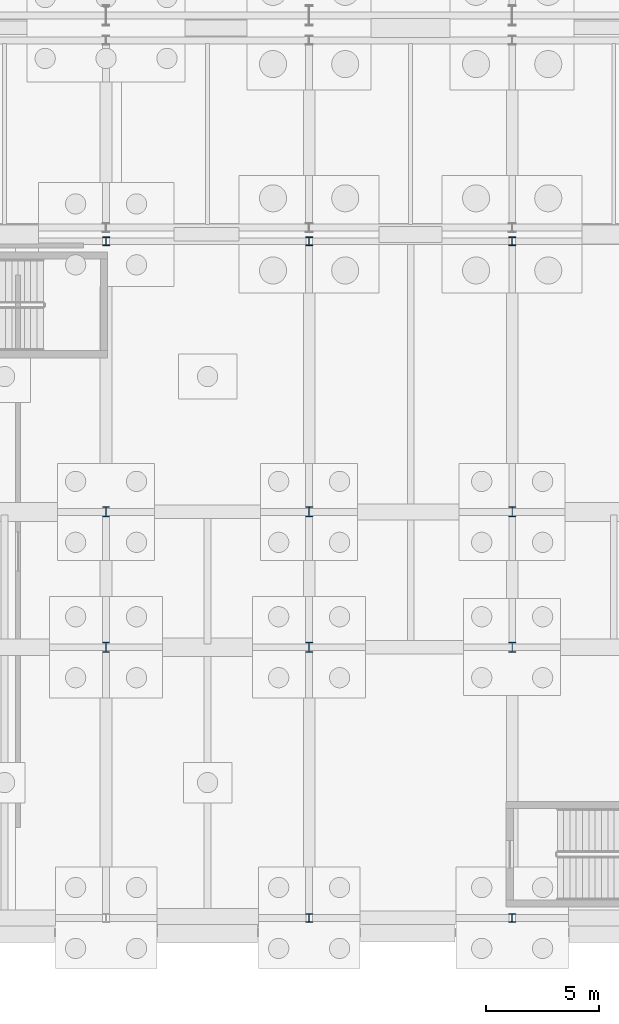
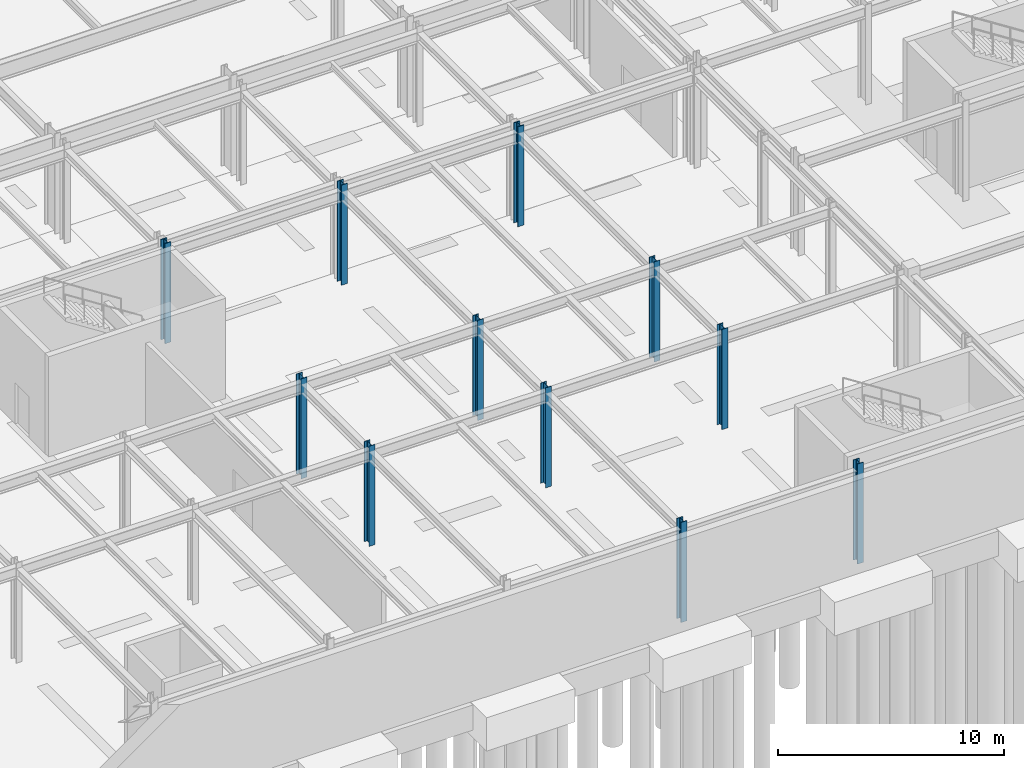
# One storey, part 14 of 65: 11 columns.
"""IFC4 building model written with IfcOpenShell, lengths in metres."""

from ifc_helpers import new_model, si_unit, direction, frame, origin, origin_2d, place, context, subcontext, project, spatial, i_section, extrude, material, material_profile, profile_set, type_object, element, save


model = new_model("IFC4")

# Units and contexts
model_context = context("Model", 3, precision=1e-05, world=origin(), true_north=direction((0.0, 1.0)))
body_context = subcontext(model_context, "Body", "Model", "MODEL_VIEW")
ifc_project = project(units=[si_unit("LENGTHUNIT", "METRE"), si_unit("AREAUNIT", "SQUARE_METRE"), si_unit("VOLUMEUNIT", "CUBIC_METRE"), si_unit("PLANEANGLEUNIT", "RADIAN"), si_unit("MASSUNIT", "GRAM", prefix="KILO")], contexts=[model_context])

# Site, building, storey
site_placement = place(None, origin())
site = spatial("IfcSite", under=ifc_project, at=site_placement, CompositionType="ELEMENT")
building_placement = place(site_placement, origin())
building = spatial("IfcBuilding", under=site, at=building_placement, Name="Kaldris Quays Convention Centre", CompositionType="ELEMENT")
storey_placement = place(building_placement, frame((0.0, 0.0, -5.39990234375)))
storey = spatial("IfcBuildingStorey", under=building, at=storey_placement, Name="B1", CompositionType="ELEMENT", Elevation=-5.39990234375)

# Columns
ifc_material_1 = material(Name="Steel S460ML", Category="steel")
ifc_material_profile_1 = material_profile(ifc_material_1, i_section(OverallWidth=0.30810546875, OverallDepth=0.39501953125, WebThickness=0.02099609375, FlangeThickness=0.0400390625, FilletRadius=0.027099609375, at=origin_2d()), Name="HEM 360")
ifc_profile_set_1 = profile_set([ifc_material_profile_1], Name="Steel S460ML")
column_type_1 = type_object("IfcColumnType", Name="STRUCTURAL COLUMN CL02", PredefinedType="COLUMN", material=ifc_profile_set_1)
for number, where, z_axis, x_axis, name in (
    (1, (56.0, 46.0, 0.0), (0.0, 0.0, 1.0), (1.0, 0.0, 0.0), "B1 V3 Column CL02 (56.00, 46.00)"),
    (2, (65.0, 16.0, 0.0), (0.0, 0.0, 1.0), (1.0, 0.0, 0.0), "B1 V3 Column CL02 (65.00, 16.00)"),
    (3, (65.0, 46.0, 0.0), (0.0, 0.0, 1.0), (1.0, 0.0, 0.0), "B1 V3 Column CL02 (65.00, 46.00)"),
    (4, (74.0, 16.0, 0.0), (0.0, 0.0, 1.0), (1.0, 0.0, 0.0), "B1 V3 Column CL02 (74.00, 16.00)"),
    (5, (74.0, 46.0, 0.0), (0.0, 0.0, 1.0), (1.0, 0.0, 0.0), "B1 V3 Column CL02 (74.00, 46.00)"),
):
    element("IfcColumn", number, at=place(storey_placement, frame(where, z_axis=z_axis, x_axis=x_axis)), inside=storey, type_object=column_type_1, Name=name, PredefinedType="COLUMN", context=body_context, shape_type="SweptSolid", body=[
        extrude(i_section(OverallWidth=0.30810546875, OverallDepth=0.39501953125, WebThickness=0.02099609375, FlangeThickness=0.0400390625, FilletRadius=0.027099609375, at=origin_2d()), origin(), (0.0, 0.0, 1.0), 5.39990234375),
    ])
ifc_material_2 = material(Name="Steel S355J2", Category="steel")
ifc_material_profile_2 = material_profile(ifc_material_2, i_section(OverallWidth=0.300048828125, OverallDepth=0.449951171875, WebThickness=0.013916015625, FlangeThickness=0.02587890625, FilletRadius=0.027099609375, at=origin_2d()), Name="HEB 450")
ifc_profile_set_2 = profile_set([ifc_material_profile_2], Name="Steel S355J2")
column_type_2 = type_object("IfcColumnType", Name="STRUCTURAL COLUMN CL08", PredefinedType="COLUMN", material=ifc_profile_set_2)
for number, where, z_axis, x_axis, name in (
    (6, (56.0, 28.0, 0.0), (0.0, 0.0, 1.0), (1.0, 0.0, 0.0), "B1 V3 Column CL08 (56.00, 28.00)"),
    (7, (56.0, 34.0, 0.0), (0.0, 0.0, 1.0), (1.0, 0.0, 0.0), "B1 V3 Column CL08 (56.00, 34.00)"),
    (8, (65.0, 28.0, 0.0), (0.0, 0.0, 1.0), (1.0, 0.0, 0.0), "B1 V3 Column CL08 (65.00, 28.00)"),
    (9, (65.0, 34.0, 0.0), (0.0, 0.0, 1.0), (1.0, 0.0, 0.0), "B1 V3 Column CL08 (65.00, 34.00)"),
    (10, (74.0, 28.0, 0.0), (0.0, 0.0, 1.0), (1.0, 0.0, 0.0), "B1 V3 Column CL08 (74.00, 28.00)"),
    (11, (74.0, 34.0, 0.0), (0.0, 0.0, 1.0), (1.0, 0.0, 0.0), "B1 V3 Column CL08 (74.00, 34.00)"),
):
    element("IfcColumn", number, at=place(storey_placement, frame(where, z_axis=z_axis, x_axis=x_axis)), inside=storey, type_object=column_type_2, Name=name, PredefinedType="COLUMN", context=body_context, shape_type="SweptSolid", body=[
        extrude(i_section(OverallWidth=0.300048828125, OverallDepth=0.449951171875, WebThickness=0.013916015625, FlangeThickness=0.02587890625, FilletRadius=0.027099609375, at=origin_2d()), origin(), (0.0, 0.0, 1.0), 5.39990234375),
    ])

save(model, "model.ifc")
